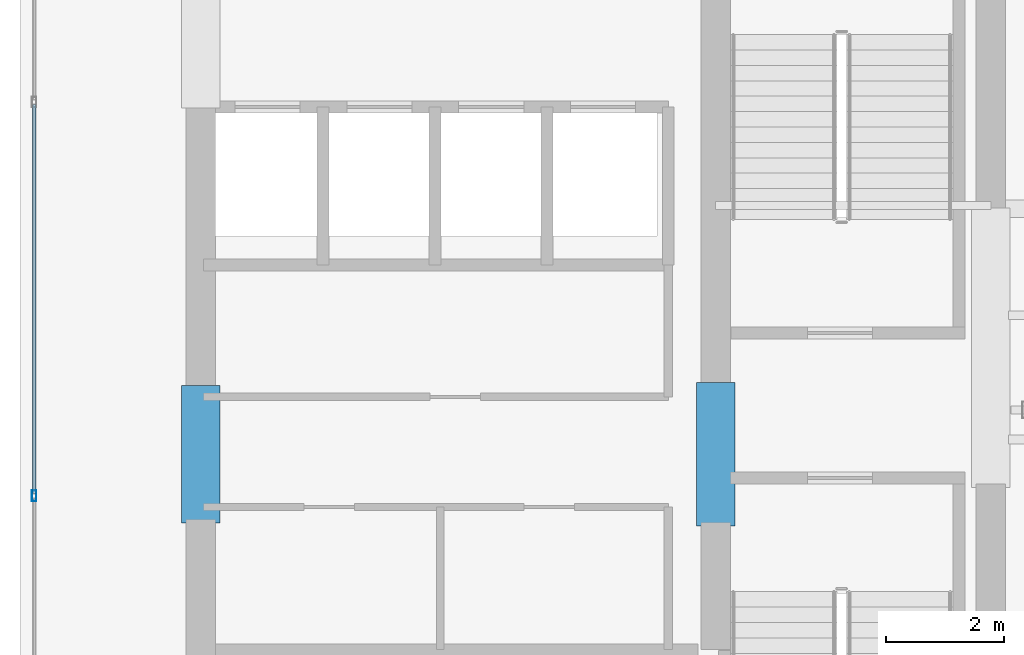
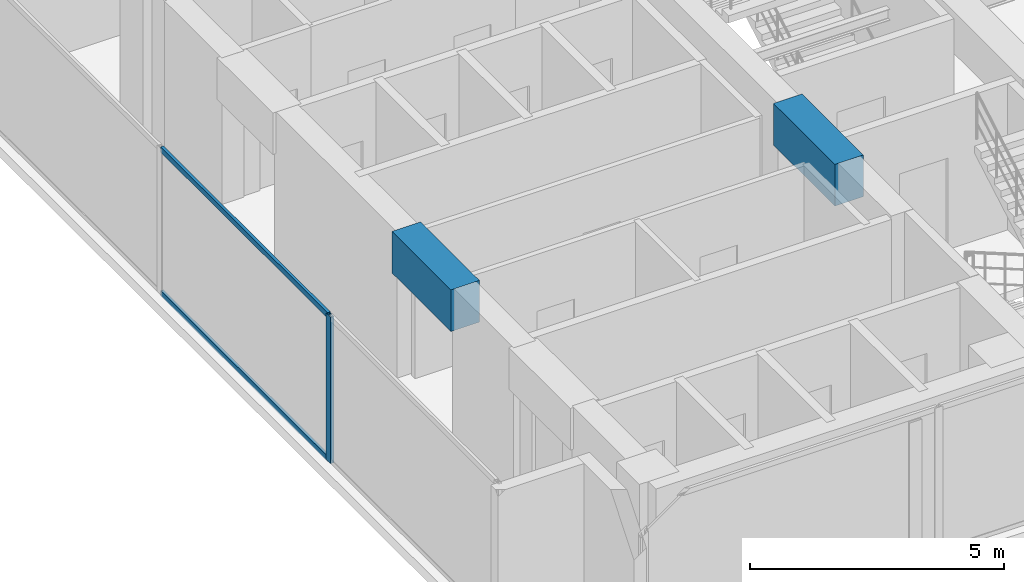
# One storey, part 4 of 32: 3 members, 2 beams, 1 element without a shape of its own.
"""IFC4 building model written with IfcOpenShell, lengths in metres."""

from ifc_helpers import new_model, si_unit, direction, frame, origin, origin_with_axes, origin_2d, place, context, subcontext, project, spatial, rectangle, hollow_rectangle, extrude, source, transform, mapped, material, layer, layer_set, material_profile, profile_set, type_object, element, aggregate, save


model = new_model("IFC4")

# Units and contexts
model_context = context("Model", 3, precision=1e-05, world=origin(), true_north=direction((0.0, 1.0)))
body_context = subcontext(model_context, "Body", "Model", "MODEL_VIEW")
ifc_project = project(units=[si_unit("LENGTHUNIT", "METRE"), si_unit("AREAUNIT", "SQUARE_METRE"), si_unit("VOLUMEUNIT", "CUBIC_METRE"), si_unit("PLANEANGLEUNIT", "RADIAN"), si_unit("MASSUNIT", "GRAM", prefix="KILO")], contexts=[model_context])

# Site, building, storey
site_placement = place(None, origin())
site = spatial("IfcSite", under=ifc_project, at=site_placement, CompositionType="ELEMENT")
building_placement = place(site_placement, origin())
building = spatial("IfcBuilding", under=site, at=building_placement, Name="Kolvaren Waterfront Exchange", CompositionType="ELEMENT")
storey_placement = place(building_placement, frame((0.0, 0.0, 348.10009765625)))
storey = spatial("IfcBuildingStorey", under=building, at=storey_placement, Name="L89", CompositionType="ELEMENT", Elevation=348.10009765625)

# Beams
ifc_material_1 = material(Name="Concrete C60/75", Category="concrete")
ifc_material_profile_1 = material_profile(ifc_material_1, rectangle(XDim=0.64990234375, YDim=1.0, at=origin_2d()), Name="RC-CB-1000x650")
ifc_profile_set_1 = profile_set([ifc_material_profile_1], Name="Concrete C60/75")
beam_type = type_object("IfcBeamType", Name="STR-CB-1000", PredefinedType="SPANDREL", material=ifc_profile_set_1)
beam_1_placement = place(storey_placement, frame((7.449951171875, 12.090087890625, 3.02001953125), z_axis=(0.0, 1.0, 0.0), x_axis=(-1.0, 0.0, 0.0)))
element("IfcBeam", 1, at=beam_1_placement, inside=storey, type_object=beam_type, Name="L89 core coupling beam 4", PredefinedType="SPANDREL", context=body_context, shape_type="SweptSolid", body=[
    extrude(rectangle(XDim=0.64990234375, YDim=1.0, at=origin_2d()), origin(), (0.0, 0.0, 1.0), 2.31982421875),
])
beam_2_placement = place(storey_placement, frame((16.14990234375, 12.0400390625, 3.02001953125), z_axis=(0.0, 1.0, 0.0), x_axis=(-1.0, 0.0, 0.0)))
element("IfcBeam", 2, at=beam_2_placement, inside=storey, type_object=beam_type, Name="L89 core coupling beam 6", PredefinedType="SPANDREL", context=body_context, shape_type="SweptSolid", body=[
    extrude(rectangle(XDim=0.64990234375, YDim=1.0, at=origin_2d()), origin(), (0.0, 0.0, 1.0), 2.419921875),
])

# Curtain wall, members
ifc_material_2 = material(Name="Anodised bronze aluminium 6063-T6", Category="aluminium")
ifc_layer = layer(ifc_material_2, 0.219970703125, Name="Anodised bronze aluminium 6063-T6")
ifc_layer_set = layer_set([ifc_layer], Name="Anodised bronze aluminium 6063-T6")
curtain_wall_type = type_object("IfcCurtainWallType", Name="ARC-CW-SYS5", PredefinedType="USERDEFINED", material=ifc_layer_set)
curtain_wall_placement = place(storey_placement, origin())
curtain_wall = element("IfcCurtainWall", 3, at=curtain_wall_placement, inside=storey, type_object=curtain_wall_type, Name="L89 stick curtain wall CW5 (CW-L89-W)", ObjectType="STICK CURTAIN WALL", PredefinedType="USERDEFINED")
ifc_material_profile_2 = material_profile(ifc_material_2, hollow_rectangle(XDim=0.06494140625, YDim=0.1298828125, WallThickness=0.00390625, at=origin_2d()), Name="ALU-TRN-130x65x4")
ifc_profile_set_2 = profile_set([ifc_material_profile_2], Name="Anodised bronze aluminium 6063-T6")
member_type_1 = type_object("IfcMemberType", Name="ARC-CWT-130", PredefinedType="USERDEFINED", material=ifc_profile_set_2)
shared_shape_1 = source(origin_with_axes(), body_context, "Body", "SweptSolid", [
    extrude(hollow_rectangle(XDim=0.06494140625, YDim=0.1298828125, WallThickness=0.00390625, at=origin_2d()), origin(), (0.0, 0.0, 1.0), 6.5751953125),
])
member_1_placement = place(storey_placement, frame((4.639892578125, 12.58740234375, 0.032470703125), z_axis=(0.0, 1.0, 0.0), x_axis=(-1.0, 0.0, 0.0)))
member_1 = element("IfcMember", 4, at=member_1_placement, type_object=member_type_1, Name="CW5 transom 2.1", ObjectType="TRANSOM", PredefinedType="USERDEFINED", context=body_context, shape_type="MappedRepresentation", body=[
    mapped(shared_shape_1, transform((0.0, 0.0, 0.0), x_axis=(1.0, 0.0, 0.0), y_axis=(0.0, 1.0, 0.0), z_axis=(0.0, 0.0, 1.0), scale=1.0)),
])
member_2_placement = place(storey_placement, frame((4.639892578125, 12.58740234375, 3.4873046875), z_axis=(0.0, 1.0, 0.0), x_axis=(-1.0, 0.0, 0.0)))
member_2 = element("IfcMember", 5, at=member_2_placement, type_object=member_type_1, Name="CW5 transom 2.2", ObjectType="TRANSOM", PredefinedType="USERDEFINED", context=body_context, shape_type="MappedRepresentation", body=[
    mapped(shared_shape_1, transform((0.0, 0.0, 0.0), x_axis=(1.0, 0.0, 0.0), y_axis=(0.0, 1.0, 0.0), z_axis=(0.0, 0.0, 1.0), scale=1.0)),
])
ifc_material_profile_3 = material_profile(ifc_material_2, hollow_rectangle(XDim=0.074951171875, YDim=0.179931640625, WallThickness=0.00439453125, at=origin_2d()), Name="ALU-MUL-180x75x4.5")
ifc_profile_set_3 = profile_set([ifc_material_profile_3], Name="Anodised bronze aluminium 6063-T6")
member_type_2 = type_object("IfcMemberType", Name="ARC-CWM-180", PredefinedType="MULLION", material=ifc_profile_set_3)
shared_shape_2 = source(origin_with_axes(), body_context, "Body", "SweptSolid", [
    extrude(hollow_rectangle(XDim=0.074951171875, YDim=0.179931640625, WallThickness=0.00439453125, at=origin_2d()), origin(), (0.0, 0.0, 1.0), 3.52001953125),
])
member_3_placement = place(storey_placement, frame((4.639892578125, 12.550048828125, 0.0), z_axis=(0.0, 0.0, 1.0), x_axis=(-1.0, 0.0, 0.0)))
member_3 = element("IfcMember", 6, at=member_3_placement, type_object=member_type_2, Name="CW5 mullion 2", PredefinedType="MULLION", context=body_context, shape_type="MappedRepresentation", body=[
    mapped(shared_shape_2, transform((0.0, 0.0, 0.0), x_axis=(1.0, 0.0, 0.0), y_axis=(0.0, 1.0, 0.0), z_axis=(0.0, 0.0, 1.0), scale=1.0)),
])
aggregate(curtain_wall, [member_3, member_1, member_2])

save(model, "model.ifc")
